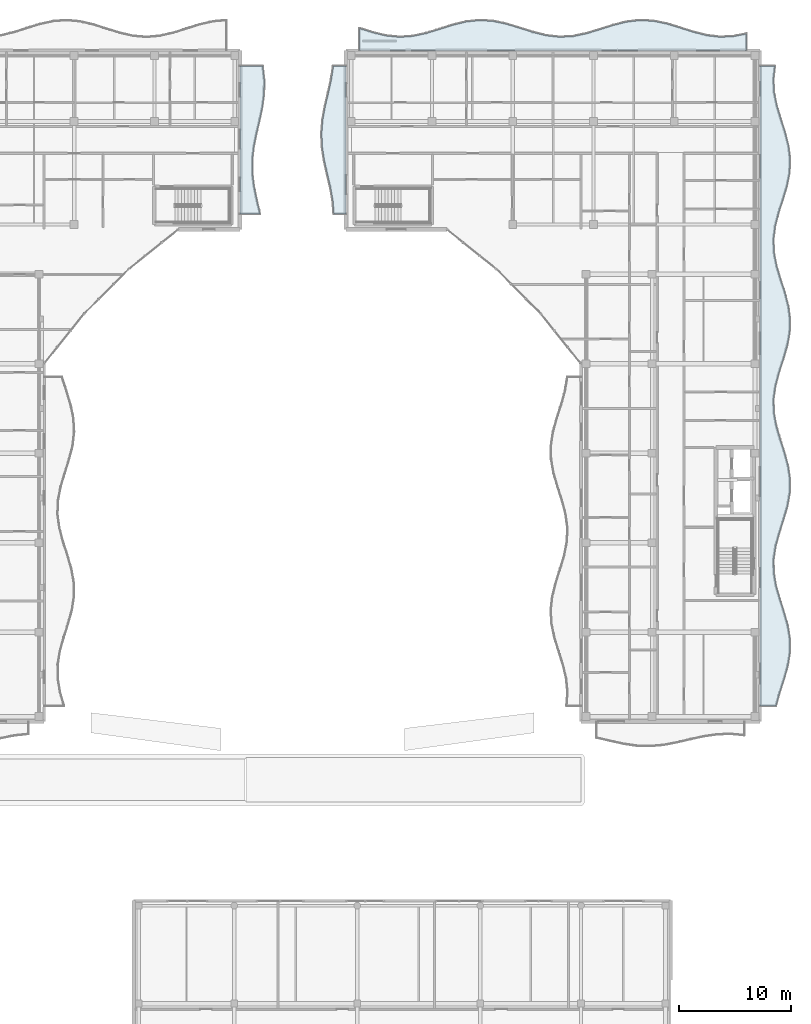
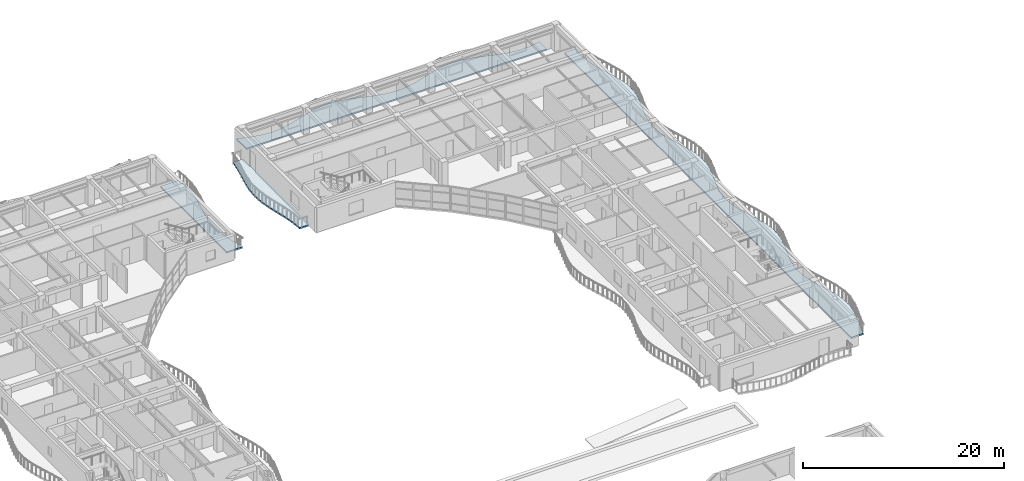
# One storey, part 78 of 128: 4 slabs.
"""IFC4 building model written with IfcOpenShell, lengths in metres."""

from ifc_helpers import new_model, si_unit, direction, frame, origin, place, context, subcontext, project, spatial, polyline, outline, extrude, material, layer, layer_set, type_object, element, save


model = new_model("IFC4")

# Units and contexts
model_context = context("Model", 3, precision=1e-05, world=origin(), true_north=direction((0.0, 1.0)))
body_context = subcontext(model_context, "Body", "Model", "MODEL_VIEW")
ifc_project = project(units=[si_unit("LENGTHUNIT", "METRE"), si_unit("AREAUNIT", "SQUARE_METRE"), si_unit("VOLUMEUNIT", "CUBIC_METRE"), si_unit("PLANEANGLEUNIT", "RADIAN"), si_unit("MASSUNIT", "GRAM", prefix="KILO")], contexts=[model_context])

# Site, building, storey
site_placement = place(None, origin())
site = spatial("IfcSite", under=ifc_project, at=site_placement, CompositionType="ELEMENT")
building_placement = place(site_placement, origin())
building = spatial("IfcBuilding", under=site, at=building_placement, Name="Keldmere Railside Commons", CompositionType="ELEMENT")
storey_placement = place(building_placement, frame((0.0, 0.0, 4.159912109375)))
storey = spatial("IfcBuildingStorey", under=building, at=storey_placement, Name="L01", CompositionType="ELEMENT", Elevation=4.159912109375)

# Slabs
ifc_material = material(Name="White Precast Concrete H-35 (C35/45)", Category="concrete")
ifc_layer = layer(ifc_material, 0.179931640625, Name="Sinusoidal Wave Balcony Slab 180")
ifc_layer_set = layer_set([ifc_layer], Name="White Precast Concrete H-35 (C35/45)")
slab_type = type_object("IfcSlabType", Name="Sinusoidal Wave Balcony Slab 180", PredefinedType="FLOOR", material=ifc_layer_set)
slab_1_placement = place(storey_placement, frame((0.0, 0.0, -0.179931640625)))
element("IfcSlab", 1, at=slab_1_placement, inside=storey, type_object=slab_type, Name="WB-1 B L01 WE Wave Balcony", PredefinedType="FLOOR", context=body_context, shape_type="SweptSolid", body=[
    extrude(outline(polyline([(139.30810546875, 101.39990234375), (139.0234375, 102.60009765625), (138.772705078125, 103.800048828125), (138.623291015625, 105.0), (138.61474609375, 106.199951171875), (138.749755859375, 107.39990234375), (138.991943359375, 108.60009765625), (139.276611328125, 109.800048828125), (139.527099609375, 111.0), (139.6767578125, 112.199951171875), (139.685302734375, 113.39990234375), (139.55029296875, 114.60009765625), (137.5, 114.60009765625), (137.5, 113.39990234375), (137.5, 112.199951171875), (137.5, 111.0), (137.5, 109.800048828125), (137.5, 108.60009765625), (137.5, 107.39990234375), (137.5, 106.199951171875), (137.5, 105.0), (137.5, 103.800048828125), (137.5, 102.60009765625), (137.5, 101.39990234375), (139.30810546875, 101.39990234375)])), origin(), (0.0, 0.0, 1.0), 0.179931640625),
])
slab_2_placement = place(storey_placement, frame((0.0, 0.0, -0.179931640625)))
element("IfcSlab", 2, at=slab_2_placement, inside=storey, type_object=slab_type, Name="WB-1 A L01 N Wave Balcony", PredefinedType="FLOOR", context=body_context, shape_type="SweptSolid", body=[
    extrude(outline(polyline([(148.199951171875, 116.0), (149.39306640625, 116.0), (150.586181640625, 116.0), (151.779296875, 116.0), (152.972412109375, 116.0), (154.16552734375, 116.0), (155.358642578125, 116.0), (156.5517578125, 116.0), (157.744873046875, 116.0), (158.93798828125, 116.0), (160.131103515625, 116.0), (161.32421875, 116.0), (162.51708984375, 116.0), (163.710205078125, 116.0), (164.9033203125, 116.0), (166.0966796875, 116.0), (167.289794921875, 116.0), (168.48291015625, 116.0), (169.67578125, 116.0), (170.868896484375, 116.0), (172.06201171875, 116.0), (173.255126953125, 116.0), (174.4482421875, 116.0), (175.641357421875, 116.0), (176.83447265625, 116.0), (178.027587890625, 116.0), (179.220703125, 116.0), (180.413818359375, 116.0), (181.60693359375, 116.0), (182.800048828125, 116.0), (182.800048828125, 117.49462890625), (181.60693359375, 117.258544921875), (180.413818359375, 117.205810546875), (179.220703125, 117.35009765625), (178.027587890625, 117.6533203125), (176.83447265625, 118.03515625), (175.641357421875, 118.39453125), (174.4482421875, 118.635986328125), (173.255126953125, 118.69580078125), (172.06201171875, 118.55810546875), (170.868896484375, 118.259033203125), (169.67578125, 117.87841796875), (168.48291015625, 117.5166015625), (167.289794921875, 117.26953125), (166.0966796875, 117.202880859375), (164.9033203125, 117.333984375), (163.710205078125, 117.628662109375), (162.51708984375, 118.00830078125), (161.32421875, 118.372314453125), (160.131103515625, 118.624755859375), (158.93798828125, 118.6982421875), (157.744873046875, 118.573486328125), (156.5517578125, 118.28369140625), (155.358642578125, 117.9052734375), (154.16552734375, 117.538818359375), (152.972412109375, 117.28125), (151.779296875, 117.200927734375), (150.586181640625, 117.319091796875), (149.39306640625, 117.604248046875), (148.199951171875, 117.981201171875), (148.199951171875, 116.0)])), origin(), (0.0, 0.0, 1.0), 0.179931640625),
])
slab_3_placement = place(storey_placement, frame((0.0, 0.0, -0.179931640625)))
element("IfcSlab", 3, at=slab_3_placement, inside=storey, type_object=slab_type, Name="WB-1 A L01 CE Wave Balcony", PredefinedType="FLOOR", context=body_context, shape_type="SweptSolid", body=[
    extrude(outline(polyline([(185.4208984375, 57.39990234375), (185.7548828125, 58.591796875), (186.140380859375, 59.783203125), (186.4755859375, 60.97509765625), (186.672119140625, 62.166748046875), (186.677490234375, 63.3583984375), (186.490478515625, 64.550048828125), (186.160888671875, 65.74169921875), (185.775390625, 66.933349609375), (185.43603515625, 68.125), (185.232666015625, 69.316650390625), (185.21875, 70.50830078125), (185.398193359375, 71.699951171875), (185.723388671875, 72.8916015625), (186.108642578125, 74.083251953125), (186.451904296875, 75.27490234375), (186.66259765625, 76.466796875), (186.684814453125, 77.658203125), (186.5126953125, 78.85009765625), (186.192138671875, 80.041748046875), (185.807373046875, 81.2333984375), (185.46044921875, 82.425048828125), (185.242919921875, 83.61669921875), (185.212158203125, 84.808349609375), (185.37646484375, 86.0), (185.6923828125, 87.191650390625), (186.076416015625, 88.38330078125), (186.427001953125, 89.574951171875), (186.651611328125, 90.7666015625), (186.690673828125, 91.958251953125), (186.533935546875, 93.14990234375), (186.222900390625, 94.341796875), (185.839599609375, 95.533203125), (185.485595703125, 96.72509765625), (185.25439453125, 97.916748046875), (185.20703125, 99.1083984375), (185.35595703125, 100.300048828125), (185.662109375, 101.49169921875), (186.044189453125, 102.683349609375), (186.4013671875, 103.875), (186.639404296875, 105.066650390625), (186.695068359375, 106.25830078125), (186.553955078125, 107.449951171875), (186.2529296875, 108.6416015625), (185.8720703125, 109.833251953125), (185.51171875, 111.02490234375), (185.267333984375, 112.216796875), (185.203125, 113.408203125), (185.336669921875, 114.60009765625), (184.0, 114.60009765625), (184.0, 113.408203125), (184.0, 112.216796875), (184.0, 111.02490234375), (184.0, 109.833251953125), (184.0, 108.6416015625), (184.0, 107.449951171875), (184.0, 106.25830078125), (184.0, 105.066650390625), (184.0, 103.875), (184.0, 102.683349609375), (184.0, 101.49169921875), (184.0, 100.300048828125), (184.0, 99.1083984375), (184.0, 97.916748046875), (184.0, 96.72509765625), (184.0, 95.533203125), (184.0, 94.341796875), (184.0, 93.14990234375), (184.0, 91.958251953125), (184.0, 90.7666015625), (184.0, 89.574951171875), (184.0, 88.38330078125), (184.0, 87.191650390625), (184.0, 86.0), (184.0, 84.808349609375), (184.0, 83.61669921875), (184.0, 82.425048828125), (184.0, 81.2333984375), (184.0, 80.041748046875), (184.0, 78.85009765625), (184.0, 77.658203125), (184.0, 76.466796875), (184.0, 75.27490234375), (184.0, 74.083251953125), (184.0, 72.8916015625), (184.0, 71.699951171875), (184.0, 70.50830078125), (184.0, 69.316650390625), (184.0, 68.125), (184.0, 66.933349609375), (184.0, 65.74169921875), (184.0, 64.550048828125), (184.0, 63.3583984375), (184.0, 62.166748046875), (184.0, 60.97509765625), (184.0, 59.783203125), (184.0, 58.591796875), (184.0, 57.39990234375), (185.4208984375, 57.39990234375)])), origin(), (0.0, 0.0, 1.0), 0.179931640625),
])
slab_4_placement = place(storey_placement, frame((0.0, 0.0, -0.179931640625)))
element("IfcSlab", 4, at=slab_4_placement, inside=storey, type_object=slab_type, Name="WB-1 A L01 WW Wave Balcony", PredefinedType="FLOOR", context=body_context, shape_type="SweptSolid", body=[
    extrude(outline(polyline([(147.0, 101.39990234375), (147.0, 102.60009765625), (147.0, 103.800048828125), (147.0, 105.0), (147.0, 106.199951171875), (147.0, 107.39990234375), (147.0, 108.60009765625), (147.0, 109.800048828125), (147.0, 111.0), (147.0, 112.199951171875), (147.0, 113.39990234375), (147.0, 114.60009765625), (145.848388671875, 114.60009765625), (145.66552734375, 113.39990234375), (145.398193359375, 112.199951171875), (145.11767578125, 111.0), (144.899658203125, 109.800048828125), (144.802001953125, 108.60009765625), (144.8515625, 107.39990234375), (145.034423828125, 106.199951171875), (145.302001953125, 105.0), (145.582275390625, 103.800048828125), (145.80029296875, 102.60009765625), (145.89794921875, 101.39990234375), (147.0, 101.39990234375)])), origin(), (0.0, 0.0, 1.0), 0.179931640625),
])

save(model, "model.ifc")
